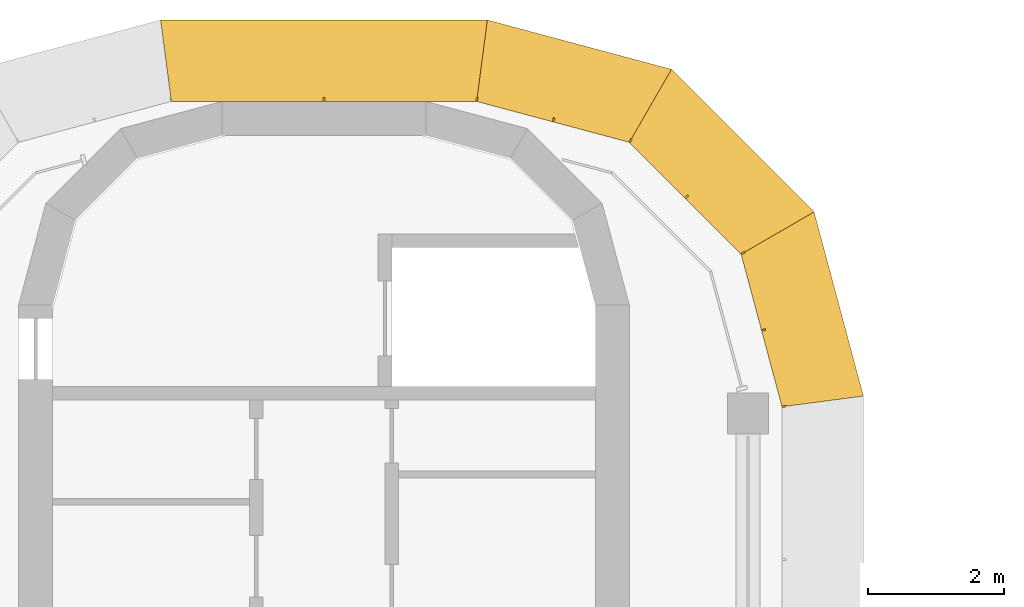
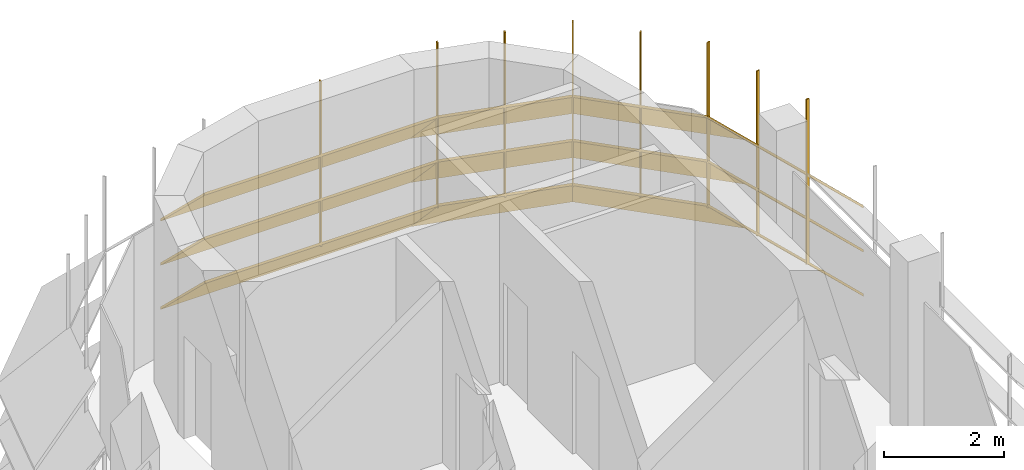
# One storey, part 19 of 19: 2 shading devices.
"""IFC4 building model written with IfcOpenShell, lengths in metres."""

from ifc_helpers import new_model, si_unit, direction, frame, origin, place, context, subcontext, project, spatial, polyline, outline, extrude, faceted_brep, source, transform, mapped, material, type_object, element, save


model = new_model("IFC4")

# Units and contexts
model_context = context("Model", 3, precision=1e-05, world=origin(), true_north=direction((0.0, 1.0)))
body_context = subcontext(model_context, "Body", "Model", "MODEL_VIEW")
ifc_project = project(units=[si_unit("LENGTHUNIT", "METRE"), si_unit("AREAUNIT", "SQUARE_METRE"), si_unit("VOLUMEUNIT", "CUBIC_METRE"), si_unit("PLANEANGLEUNIT", "RADIAN"), si_unit("MASSUNIT", "GRAM", prefix="KILO")], contexts=[model_context])

# Site, building, storey
site_placement = place(None, origin())
site = spatial("IfcSite", under=ifc_project, at=site_placement, CompositionType="ELEMENT")
building_placement = place(site_placement, origin())
building = spatial("IfcBuilding", under=site, at=building_placement, Name="Zarbagh Exchange Tower", CompositionType="ELEMENT")
storey_placement = place(building_placement, frame((0.0, 0.0, 253.60009765625)))
storey = spatial("IfcBuildingStorey", under=building, at=storey_placement, Name="L62", CompositionType="ELEMENT", Elevation=253.60009765625)

# Shading devices
ifc_material = material(Name="Anodised aluminium blades and brackets", Category="aluminium")
shading_device_type = type_object("IfcShadingDeviceType", Name="SUNSHADE louvre band, 45 degree blades", PredefinedType="JALOUSIE", material=ifc_material)
shared_shape_1 = source(origin(), body_context, "Body", "Brep", [
    faceted_brep([(0.0, 0.0, 0.0), (0.0, 0.0, -0.056640625), (-0.157958984375, -1.199951171875, -1.256591796875), (-0.157958984375, -1.199951171875, -1.199951171875), (2.65087890625, -1.199951171875, -1.199951171875), (2.65087890625, -1.199951171875, -1.256591796875), (2.329345703125, 0.0, -0.056640625), (2.329345703125, 0.0, 0.0)], [[[0, 1, 2, 3]], [[4, 5, 6, 7]], [[0, 7, 6, 1]], [[1, 6, 5, 2]], [[2, 5, 4, 3]], [[3, 4, 7, 0]]]),
])
shared_shape_2 = source(origin(), body_context, "Body", "Brep", [
    faceted_brep([(0.0, 0.0, 0.0), (0.0, 0.0, -0.056640625), (-0.321533203125, -1.199951171875, -1.256591796875), (-0.321533203125, -1.199951171875, -1.199951171875), (2.65087890625, -1.199951171875, -1.199951171875), (2.65087890625, -1.199951171875, -1.256591796875), (2.329345703125, 0.0, -0.056640625), (2.329345703125, 0.0, 0.0)], [[[0, 1, 2, 3]], [[4, 5, 6, 7]], [[0, 7, 6, 1]], [[1, 6, 5, 2]], [[2, 5, 4, 3]], [[3, 4, 7, 0]]]),
])
shared_shape_3 = source(origin(), body_context, "Body", "Brep", [
    faceted_brep([(0.0, 0.0, 0.0), (0.0, 0.0, -0.056640625), (-0.321533203125, -1.199951171875, -1.256591796875), (-0.321533203125, -1.199951171875, -1.199951171875), (2.4873046875, -1.199951171875, -1.199951171875), (2.4873046875, -1.199951171875, -1.256591796875), (2.329345703125, 0.0, -0.056640625), (2.329345703125, 0.0, 0.0)], [[[0, 1, 2, 3]], [[4, 5, 6, 7]], [[0, 7, 6, 1]], [[1, 6, 5, 2]], [[2, 5, 4, 3]], [[3, 4, 7, 0]]]),
])
shared_shape_4 = source(origin(), body_context, "Body", "SweptSolid", [
    extrude(outline(polyline([(0.0, -0.012451171875), (0.06005859375, -0.012451171875), (0.06005859375, 0.012451171875), (0.0, 0.012451171875), (0.0, -0.012451171875)])), origin(), (0.0, 0.0, 1.0), 3.366455078125),
])
placement = place(storey_placement, origin())
element("IfcShadingDevice", 1, at=placement, inside=storey, type_object=shading_device_type, Name="SS46 sunshade band", PredefinedType="JALOUSIE", context=body_context, shape_type="MappedRepresentation", body=[
    mapped(shared_shape_1, transform((6.75, 24.75, 2.2998046875), x_axis=(-0.258824779902, 0.965924289636, 0.0), y_axis=(-0.965924289636, -0.258824779902, 0.0), z_axis=(0.0, 0.0, 1.0))),
    mapped(shared_shape_1, transform((6.75, 24.75, 1.39990234375), x_axis=(-0.258824779902, 0.965924289636, 0.0), y_axis=(-0.965924289636, -0.258824779902, 0.0), z_axis=(0.0, 0.0, 1.0))),
    mapped(shared_shape_1, transform((6.75, 24.75, 0.5), x_axis=(-0.258824779902, 0.965924289636, 0.0), y_axis=(-0.965924289636, -0.258824779902, 0.0), z_axis=(0.0, 0.0, 1.0))),
    mapped(shared_shape_2, transform((6.147216796875, 27.0, 2.2998046875), x_axis=(-0.707106781187, 0.707106781187, 0.0), y_axis=(-0.707106781187, -0.707106781187, 0.0), z_axis=(0.0, 0.0, 1.0))),
    mapped(shared_shape_2, transform((6.147216796875, 27.0, 1.39990234375), x_axis=(-0.707106781187, 0.707106781187, 0.0), y_axis=(-0.707106781187, -0.707106781187, 0.0), z_axis=(0.0, 0.0, 1.0))),
    mapped(shared_shape_2, transform((6.147216796875, 27.0, 0.5), x_axis=(-0.707106781187, 0.707106781187, 0.0), y_axis=(-0.707106781187, -0.707106781187, 0.0), z_axis=(0.0, 0.0, 1.0))),
    mapped(shared_shape_3, transform((4.5, 28.647216796875, 2.2998046875), x_axis=(-0.965924289636, 0.258824779902, 0.0), y_axis=(-0.258824779902, -0.965924289636, 0.0), z_axis=(0.0, 0.0, 1.0))),
    mapped(shared_shape_3, transform((4.5, 28.647216796875, 1.39990234375), x_axis=(-0.965924289636, 0.258824779902, 0.0), y_axis=(-0.258824779902, -0.965924289636, 0.0), z_axis=(0.0, 0.0, 1.0))),
    mapped(shared_shape_3, transform((4.5, 28.647216796875, 0.5), x_axis=(-0.965924289636, 0.258824779902, 0.0), y_axis=(-0.258824779902, -0.965924289636, 0.0), z_axis=(0.0, 0.0, 1.0))),
    mapped(shared_shape_4, transform((6.75, 24.75, 0.413330078125), x_axis=(0.991444457092, 0.130529263012, 0.0), y_axis=(-0.130529263012, 0.991444457092, 0.0), z_axis=(0.0, 0.0, 1.0))),
    mapped(shared_shape_4, transform((6.448486328125, 25.875, 0.413330078125), x_axis=(0.96592421511, 0.258825058029, 0.0), y_axis=(-0.258825058029, 0.96592421511, 0.0), z_axis=(0.0, 0.0, 1.0))),
    mapped(shared_shape_4, transform((6.147216796875, 27.0, 0.413330078125), x_axis=(0.866023812018, 0.50000275701, 0.0), y_axis=(-0.50000275701, 0.866023812018, 0.0), z_axis=(0.0, 0.0, 1.0))),
    mapped(shared_shape_4, transform((5.323486328125, 27.823486328125, 0.413330078125), x_axis=(0.707106781187, 0.707106781187, 0.0), y_axis=(-0.707106781187, 0.707106781187, 0.0), z_axis=(0.0, 0.0, 1.0))),
    mapped(shared_shape_4, transform((4.5, 28.647216796875, 0.413330078125), x_axis=(0.50000275701, 0.866023812018, 0.0), y_axis=(-0.866023812018, 0.50000275701, 0.0), z_axis=(0.0, 0.0, 1.0))),
    mapped(shared_shape_4, transform((3.375, 28.948486328125, 0.413330078125), x_axis=(0.258825058029, 0.96592421511, 0.0), y_axis=(-0.96592421511, 0.258825058029, 0.0), z_axis=(0.0, 0.0, 1.0))),
])
shared_shape_5 = source(origin(), body_context, "Body", "Brep", [
    faceted_brep([(0.0, 0.0, 0.0), (0.0, 0.0, -0.056640625), (-0.157958984375, -1.199951171875, -1.256591796875), (-0.157958984375, -1.199951171875, -1.199951171875), (4.657958984375, -1.199951171875, -1.199951171875), (4.657958984375, -1.199951171875, -1.256591796875), (4.5, 0.0, -0.056640625), (4.5, 0.0, 0.0)], [[[0, 1, 2, 3]], [[4, 5, 6, 7]], [[0, 7, 6, 1]], [[1, 6, 5, 2]], [[2, 5, 4, 3]], [[3, 4, 7, 0]]]),
])
element("IfcShadingDevice", 2, at=placement, inside=storey, type_object=shading_device_type, Name="SS47 sunshade band", PredefinedType="JALOUSIE", context=body_context, shape_type="MappedRepresentation", body=[
    mapped(shared_shape_5, transform((2.25, 29.25, 2.2998046875), x_axis=(-1.0, 0.0, 0.0), y_axis=(0.0, -1.0, 0.0), z_axis=(0.0, 0.0, 1.0))),
    mapped(shared_shape_5, transform((2.25, 29.25, 1.39990234375), x_axis=(-1.0, 0.0, 0.0), y_axis=(0.0, -1.0, 0.0), z_axis=(0.0, 0.0, 1.0))),
    mapped(shared_shape_5, transform((2.25, 29.25, 0.5), x_axis=(-1.0, 0.0, 0.0), y_axis=(0.0, -1.0, 0.0), z_axis=(0.0, 0.0, 1.0))),
    mapped(shared_shape_4, transform((2.25, 29.25, 0.413330078125), x_axis=(0.130529263012, 0.991444457092, 0.0), y_axis=(-0.991444457092, 0.130529263012, 0.0), z_axis=(0.0, 0.0, 1.0))),
    mapped(shared_shape_4, transform((0.0, 29.25, 0.413330078125), x_axis=(0.0, 1.0, 0.0), y_axis=(-1.0, 0.0, 0.0), z_axis=(0.0, 0.0, 1.0))),
])

save(model, "model.ifc")
